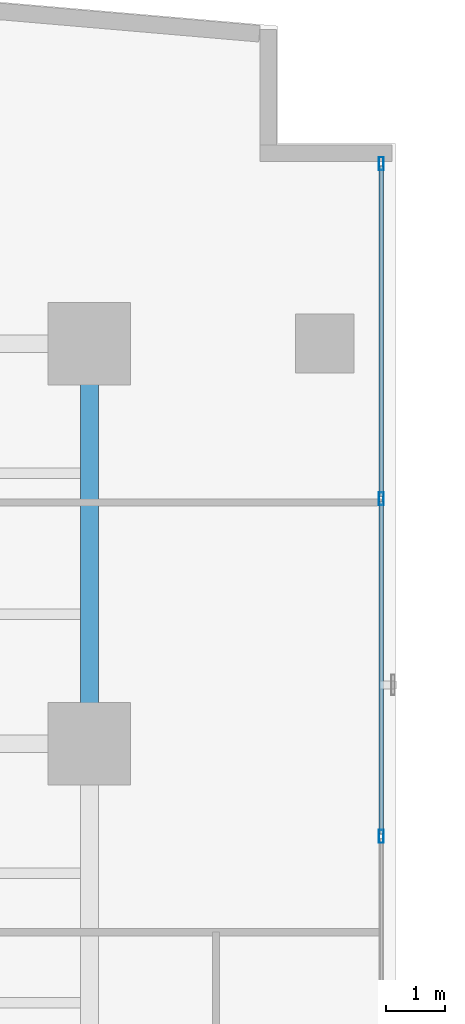
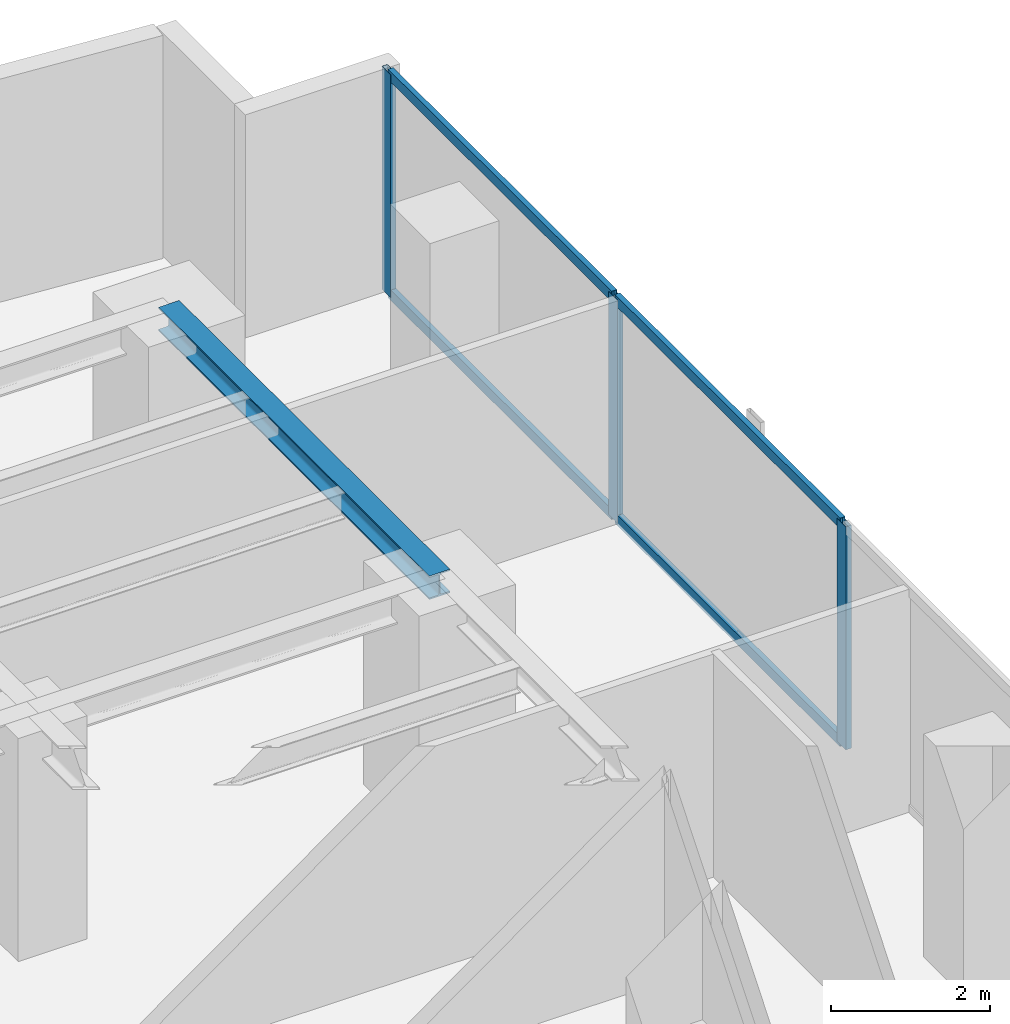
# One storey, part 17 of 25: 7 members, 1 beam, 1 element without a shape of its own.
"""IFC4 building model written with IfcOpenShell, lengths in metres."""

import ifcopenshell
import ifcopenshell.guid

model = None  # the IFC model being written
_history = None  # IfcOwnerHistory: only IFC2X3 demands one
_inside = {}  # id of a spatial element -> (the spatial element, [elements in it])
_under = {}  # id of a project, library or spatial element -> (it, [spatial elements below it])
_declared = {}  # id of a project -> (the project, [libraries it declares])
_typed = {}  # id of a type object -> (the type object, [elements of that type])
_made_of = {}  # id of a material, layer set ... -> (it, [elements and type objects made of it])


def new_model(schema):
    """Start an empty IFC model of exactly this schema.

    Asked for "IFC4X3", IfcOpenShell would pick the latest addendum, in which some entities
    have other attributes; the version numbers below select the first issue.
    IFC2X3 requires an IfcOwnerHistory on every rooted entity: one is made here for all.
    """
    global model, _history
    if schema == "IFC4X3":
        model = ifcopenshell.file(schema_version=(4, 3, 0, 0))
    else:
        model = ifcopenshell.file(schema=schema)
    _inside.clear()
    _under.clear()
    _declared.clear()
    _typed.clear()
    _made_of.clear()
    _history = None
    if model.schema == "IFC2X3":
        org = make("IfcOrganization", Name="unknown")
        user = make(
            "IfcPersonAndOrganization",
            ThePerson=make("IfcPerson", FamilyName="unknown"),
            TheOrganization=org,
        )
        app = make(
            "IfcApplication",
            ApplicationDeveloper=org,
            Version="unknown",
            ApplicationFullName="unknown",
            ApplicationIdentifier="unknown",
        )
        _history = make(
            "IfcOwnerHistory",
            OwningUser=user,
            OwningApplication=app,
            ChangeAction="ADDED",
            CreationDate=0,
        )
    return model


def make(cls, **values):
    """One entity of the class cls with the attributes given. An attribute that is None is left unset."""
    return model.create_entity(
        cls, **{name: value for name, value in values.items() if value is not None}
    )


def rooted(cls, **values):
    """An entity with a GlobalId (a new one), such as an element, a storey or a relation."""
    return make(cls, GlobalId=ifcopenshell.guid.new(), OwnerHistory=_history, **values)


def si_unit(unit_type, name, prefix=None):
    """IfcSIUnit, for example si_unit("LENGTHUNIT", "METRE", prefix="MILLI")."""
    return make("IfcSIUnit", UnitType=unit_type, Prefix=prefix, Name=name)


def assignment(units):
    """IfcUnitAssignment: the units of a project."""
    return None if units is None else make("IfcUnitAssignment", Units=units)


def point(xyz):
    """IfcCartesianPoint."""
    return None if xyz is None else make("IfcCartesianPoint", Coordinates=xyz)


def direction(xyz):
    """IfcDirection."""
    return None if xyz is None else make("IfcDirection", DirectionRatios=xyz)


def frame(location, z_axis=None, x_axis=None):
    """IfcAxis2Placement3D, a coordinate frame: its origin and axes. An axis left out is left unset."""
    return make(
        "IfcAxis2Placement3D",
        Location=point(location),
        Axis=direction(z_axis),
        RefDirection=direction(x_axis),
    )


def frame_2d(location, x_axis=None):
    """IfcAxis2Placement2D, a coordinate frame in the plane: its origin and x axis."""
    return make(
        "IfcAxis2Placement2D", Location=point(location), RefDirection=direction(x_axis)
    )


def origin():
    """The frame at (0, 0, 0) with its axes left unset."""
    return frame((0.0, 0.0, 0.0))


def origin_with_axes():
    """The frame at (0, 0, 0) with the z axis (0, 0, 1) and the x axis (1, 0, 0) written out."""
    return frame((0.0, 0.0, 0.0), z_axis=(0.0, 0.0, 1.0), x_axis=(1.0, 0.0, 0.0))


def origin_2d():
    """The frame at (0, 0) in the plane with its x axis left unset."""
    return frame_2d((0.0, 0.0))


def place(relative_to, where):
    """IfcLocalPlacement: puts the frame where relative to a parent placement (None: the world)."""
    return make(
        "IfcLocalPlacement", PlacementRelTo=relative_to, RelativePlacement=where
    )


def context(
    kind, dimensions, precision=None, world=None, true_north=None, identifier=None
):
    """IfcGeometricRepresentationContext, for example the 3D "Model" context."""
    return make(
        "IfcGeometricRepresentationContext",
        ContextIdentifier=identifier,
        ContextType=kind,
        CoordinateSpaceDimension=dimensions,
        Precision=precision,
        WorldCoordinateSystem=world,
        TrueNorth=true_north,
    )


def subcontext(parent, identifier, kind, view, scale=None):
    """IfcGeometricRepresentationSubContext, for example "Body" below "Model"."""
    return make(
        "IfcGeometricRepresentationSubContext",
        ContextIdentifier=identifier,
        ContextType=kind,
        ParentContext=parent,
        TargetScale=scale,
        TargetView=view,
    )


def project(units=None, contexts=None):
    """IfcProject with its units and contexts."""
    return rooted(
        "IfcProject",
        Name="project",
        RepresentationContexts=contexts,
        UnitsInContext=assignment(units),
    )


def spatial(cls, under=None, at=None, **own):
    """A site, building, storey or space (cls), placed at a placement, below another one or the project."""
    s = rooted(cls, ObjectPlacement=at, **own)
    if under is not None:
        _under.setdefault(under.id(), (under, []))[1].append(s)
    return s


def profile(cls, at=None, kind="AREA", **sizes):
    """A parametric profile (cls). Its sizes go by their IFC names, for example OverallWidth=200.0."""
    return make(cls, ProfileType=kind, Position=at, **sizes)


def hollow_rectangle(**sizes):
    """IfcRectangleHollowProfileDef."""
    return profile("IfcRectangleHollowProfileDef", **sizes)


def i_section(**sizes):
    """IfcIShapeProfileDef."""
    return profile("IfcIShapeProfileDef", **sizes)


def extrude(swept, where, along, depth):
    """IfcExtrudedAreaSolid: the profile swept, set in the frame where, extruded along a direction by depth."""
    return make(
        "IfcExtrudedAreaSolid",
        SweptArea=swept,
        Position=where,
        ExtrudedDirection=direction(along),
        Depth=depth,
    )


def shape(context_of_items, identifier, shape_type, items):
    """IfcShapeRepresentation: the items that make up one representation, for example the "Body"."""
    return make(
        "IfcShapeRepresentation",
        ContextOfItems=context_of_items,
        RepresentationIdentifier=identifier,
        RepresentationType=shape_type,
        Items=items,
    )


def source(mapping_origin, context_of_items, identifier, shape_type, items):
    """IfcRepresentationMap: a shape defined once, which mapped items show again and again."""
    return make(
        "IfcRepresentationMap",
        MappingOrigin=mapping_origin,
        MappedRepresentation=shape(context_of_items, identifier, shape_type, items),
    )


def transform(
    local_origin,
    x_axis=None,
    y_axis=None,
    z_axis=None,
    scale=None,
    scale2=None,
    scale3=None,
    uniform=True,
):
    """IfcCartesianTransformationOperator3D, or its non-uniform kind. x_axis, y_axis, z_axis: its Axis1, 2, 3."""
    if uniform:
        return make(
            "IfcCartesianTransformationOperator3D",
            Axis1=direction(x_axis),
            Axis2=direction(y_axis),
            LocalOrigin=point(local_origin),
            Scale=scale,
            Axis3=direction(z_axis),
        )
    return make(
        "IfcCartesianTransformationOperator3DnonUniform",
        Axis1=direction(x_axis),
        Axis2=direction(y_axis),
        LocalOrigin=point(local_origin),
        Scale=scale,
        Axis3=direction(z_axis),
        Scale2=scale2,
        Scale3=scale3,
    )


def mapped(mapping_source, mapping_target):
    """IfcMappedItem: shows the shape of a source again, moved by a transform."""
    return make(
        "IfcMappedItem", MappingSource=mapping_source, MappingTarget=mapping_target
    )


def material(Name=None, Category=None):
    """IfcMaterial."""
    return make("IfcMaterial", Name=Name, Category=Category)


def layer(
    of_material, thickness, ventilated=None, Name=None, Category=None, Priority=None
):
    """IfcMaterialLayer: one layer of a wall or slab, of a material (None: an air gap)."""
    return make(
        "IfcMaterialLayer",
        Material=of_material,
        LayerThickness=thickness,
        IsVentilated=ventilated,
        Name=Name,
        Category=Category,
        Priority=Priority,
    )


def layer_set(layers, Name=None):
    """IfcMaterialLayerSet."""
    return make("IfcMaterialLayerSet", MaterialLayers=layers, LayerSetName=Name)


def material_profile(
    of_material, cross_section, Name=None, Category=None, Priority=None
):
    """IfcMaterialProfile: a cross section and its material."""
    return make(
        "IfcMaterialProfile",
        Name=Name,
        Material=of_material,
        Profile=cross_section,
        Priority=Priority,
        Category=Category,
    )


def profile_set(profiles, Name=None, composite=None):
    """IfcMaterialProfileSet."""
    return make(
        "IfcMaterialProfileSet",
        Name=Name,
        MaterialProfiles=profiles,
        CompositeProfile=composite,
    )


def made_of(thing, what):
    """Note that an element or type object is made of a material, layer set ...; save() writes the relation."""
    if what is not None:
        _made_of.setdefault(what.id(), (what, []))[1].append(thing)
    return thing


def type_object(cls, material=None, **own):
    """A type object (cls), such as IfcWallType, which elements share."""
    return made_of(rooted(cls, **own), material)


def element(
    cls,
    number,
    at=None,
    inside=None,
    cuts=None,
    type_object=None,
    material=None,
    context=None,
    identifier="Body",
    shape_type=None,
    held_by="IfcProductDefinitionShape",
    body=None,
    shapes=None,
    **own,
):
    """One element of the class cls, such as IfcWall. Its Tag is "e" and its number.

    at: its placement. inside: the storey or other place that contains it. cuts: it is an
    opening in that element (IfcRelVoidsElement). A single representation is given by context,
    identifier, shape_type and body (its items); several are given by shapes. held_by: the class
    of the entity that holds the representations. save() writes the other relations.
    """
    e = rooted(cls, Tag="e%d" % number, ObjectPlacement=at, **own)
    if body is not None:
        shapes = [shape(context, identifier, shape_type, body)]
    if shapes is not None:
        e.Representation = make(held_by, Representations=shapes)
    if inside is not None:
        _inside.setdefault(inside.id(), (inside, []))[1].append(e)
    if cuts is not None:
        rooted(
            "IfcRelVoidsElement", RelatingBuildingElement=cuts, RelatedOpeningElement=e
        )
    if type_object is not None:
        _typed.setdefault(type_object.id(), (type_object, []))[1].append(e)
    return made_of(e, material)


def aggregate(whole, parts):
    """IfcRelAggregates: a whole, such as a stair, and the parts it consists of."""
    return rooted("IfcRelAggregates", RelatingObject=whole, RelatedObjects=parts)


def save(model, path):
    """Write the relations noted so far, then the file.

    IfcRelAggregates (storeys below a building ...), IfcRelContainedInSpatialStructure (elements
    in a storey), IfcRelDefinesByType, IfcRelAssociatesMaterial and IfcRelDeclares: one each for
    every whole, place, type object, material and project.
    """
    for whole, parts in _under.values():
        aggregate(whole, parts)
    for where, things in _inside.values():
        rooted(
            "IfcRelContainedInSpatialStructure",
            RelatedElements=things,
            RelatingStructure=where,
        )
    for kind, things in _typed.values():
        rooted("IfcRelDefinesByType", RelatedObjects=things, RelatingType=kind)
    for what, things in _made_of.values():
        rooted("IfcRelAssociatesMaterial", RelatedObjects=things, RelatingMaterial=what)
    for by, libraries in _declared.values():
        rooted("IfcRelDeclares", RelatingContext=by, RelatedDefinitions=libraries)
    model.write(path)


model = new_model("IFC4")

# Units and contexts
model_context = context("Model", 3, precision=1e-05, world=origin(), true_north=direction((0.0, 1.0)))
body_context = subcontext(model_context, "Body", "Model", "MODEL_VIEW")
ifc_project = project(units=[si_unit("LENGTHUNIT", "METRE"), si_unit("AREAUNIT", "SQUARE_METRE"), si_unit("VOLUMEUNIT", "CUBIC_METRE"), si_unit("PLANEANGLEUNIT", "RADIAN"), si_unit("MASSUNIT", "GRAM", prefix="KILO")], contexts=[model_context])

# Site, building, storey
site_placement = place(None, origin())
site = spatial("IfcSite", under=ifc_project, at=site_placement, CompositionType="ELEMENT")
building_placement = place(site_placement, origin())
building = spatial("IfcBuilding", under=site, at=building_placement, Name="Kolvaren Waterfront Exchange", CompositionType="ELEMENT")
storey_placement = place(building_placement, frame((0.0, 0.0, 137.300048828125)))
storey = spatial("IfcBuildingStorey", under=building, at=storey_placement, Name="L35", CompositionType="ELEMENT", Elevation=137.300048828125)

# Beam
ifc_material_1 = material(Name="Steel S355", Category="steel")
ifc_material_profile_1 = material_profile(ifc_material_1, i_section(OverallWidth=0.300048828125, OverallDepth=0.360107421875, WebThickness=0.012451171875, FlangeThickness=0.0224609375, FilletRadius=0.027099609375, at=origin_2d()), Name="HEB360")
ifc_profile_set_1 = profile_set([ifc_material_profile_1], Name="Steel S355")
beam_type = type_object("IfcBeamType", Name="STR-BM-HEB360", PredefinedType="SPANDREL", material=ifc_profile_set_1)
beam_placement = place(storey_placement, frame((18.800048828125, 37.800048828125, 3.239990234375), z_axis=(0.0, 1.0, 0.0), x_axis=(-1.0, 0.0, 0.0)))
element("IfcBeam", 1, at=beam_placement, inside=storey, type_object=beam_type, Name="L35 north-arm edge beam 3", PredefinedType="SPANDREL", context=body_context, shape_type="SweptSolid", body=[
    extrude(i_section(OverallWidth=0.300048828125, OverallDepth=0.360107421875, WebThickness=0.012451171875, FlangeThickness=0.0224609375, FilletRadius=0.027099609375, at=origin_2d()), origin(), (0.0, 0.0, 1.0), 6.800048828125),
])

# Curtain wall, members
ifc_material_2 = material(Name="Anodised bronze aluminium 6063-T6", Category="aluminium")
ifc_layer = layer(ifc_material_2, 0.219970703125, Name="Anodised bronze aluminium 6063-T6")
ifc_layer_set = layer_set([ifc_layer], Name="Anodised bronze aluminium 6063-T6")
curtain_wall_type = type_object("IfcCurtainWallType", Name="ARC-CW-SYS1", PredefinedType="USERDEFINED", material=ifc_layer_set)
curtain_wall_placement = place(storey_placement, origin())
curtain_wall = element("IfcCurtainWall", 2, at=curtain_wall_placement, inside=storey, type_object=curtain_wall_type, Name="L35 stick curtain wall CW1 (CW-L35-NE)", ObjectType="STICK CURTAIN WALL", PredefinedType="USERDEFINED")
ifc_material_3 = material(Name="Anodised aluminium 6063-T6", Category="aluminium")
ifc_material_profile_2 = material_profile(ifc_material_3, hollow_rectangle(XDim=0.080078125, YDim=0.219970703125, WallThickness=0.0048828125, at=origin_2d()), Name="ALU-MUL-220x80x5")
ifc_profile_set_2 = profile_set([ifc_material_profile_2], Name="Anodised aluminium 6063-T6")
member_type_1 = type_object("IfcMemberType", Name="ARC-CWM-220", PredefinedType="MULLION", material=ifc_profile_set_2)
shared_shape_1 = source(origin_with_axes(), body_context, "Body", "SweptSolid", [
    extrude(hollow_rectangle(XDim=0.080078125, YDim=0.219970703125, WallThickness=0.0048828125, at=origin_2d()), origin(), (0.0, 0.0, 1.0), 3.419921875),
])
member_1_placement = place(storey_placement, frame((23.760009765625, 36.2265625, 0.0), z_axis=(0.0, 0.0, 1.0), x_axis=(-1.0, 0.0, 0.0)))
member_1 = element("IfcMember", 3, at=member_1_placement, type_object=member_type_1, Name="CW1 mullion 2", PredefinedType="MULLION", context=body_context, shape_type="MappedRepresentation", body=[
    mapped(shared_shape_1, transform((0.0, 0.0, 0.0), x_axis=(1.0, 0.0, 0.0), y_axis=(0.0, 1.0, 0.0), z_axis=(0.0, 0.0, 1.0), scale=1.0)),
])
member_2_placement = place(storey_placement, frame((23.760009765625, 41.96337890625, 0.0), z_axis=(0.0, 0.0, 1.0), x_axis=(-1.0, 0.0, 0.0)))
member_2 = element("IfcMember", 4, at=member_2_placement, type_object=member_type_1, Name="CW1 mullion 3", PredefinedType="MULLION", context=body_context, shape_type="MappedRepresentation", body=[
    mapped(shared_shape_1, transform((0.0, 0.0, 0.0), x_axis=(1.0, 0.0, 0.0), y_axis=(0.0, 1.0, 0.0), z_axis=(0.0, 0.0, 1.0), scale=1.0)),
])
member_3_placement = place(storey_placement, frame((23.760009765625, 47.659912109375, 0.0), z_axis=(0.0, 0.0, 1.0), x_axis=(-1.0, 0.0, 0.0)))
member_3 = element("IfcMember", 5, at=member_3_placement, type_object=member_type_1, Name="CW1 mullion 4", PredefinedType="MULLION", context=body_context, shape_type="MappedRepresentation", body=[
    mapped(shared_shape_1, transform((0.0, 0.0, 0.0), x_axis=(1.0, 0.0, 0.0), y_axis=(0.0, 1.0, 0.0), z_axis=(0.0, 0.0, 1.0), scale=1.0)),
])
ifc_material_profile_3 = material_profile(ifc_material_3, hollow_rectangle(XDim=0.074951171875, YDim=0.159912109375, WallThickness=0.00439453125, at=origin_2d()), Name="ALU-TRN-160x75x4.5")
ifc_profile_set_3 = profile_set([ifc_material_profile_3], Name="Anodised aluminium 6063-T6")
member_type_2 = type_object("IfcMemberType", Name="ARC-CWT-160", PredefinedType="USERDEFINED", material=ifc_profile_set_3)
shared_shape_2 = source(origin_with_axes(), body_context, "Body", "SweptSolid", [
    extrude(hollow_rectangle(XDim=0.074951171875, YDim=0.159912109375, WallThickness=0.00439453125, at=origin_2d()), origin(), (0.0, 0.0, 1.0), 5.61669921875),
])
member_4_placement = place(storey_placement, frame((23.760009765625, 42.00341796875, 0.037353515625), z_axis=(0.0, 1.0, 0.0), x_axis=(-1.0, 0.0, 0.0)))
member_4 = element("IfcMember", 6, at=member_4_placement, type_object=member_type_2, Name="CW1 transom 3.1", ObjectType="TRANSOM", PredefinedType="USERDEFINED", context=body_context, shape_type="MappedRepresentation", body=[
    mapped(shared_shape_2, transform((0.0, 0.0, 0.0), x_axis=(1.0, 0.0, 0.0), y_axis=(0.0, 1.0, 0.0), z_axis=(0.0, 0.0, 1.0), scale=1.0)),
])
member_5_placement = place(storey_placement, frame((23.760009765625, 42.00341796875, 3.382568359375), z_axis=(0.0, 1.0, 0.0), x_axis=(-1.0, 0.0, 0.0)))
member_5 = element("IfcMember", 7, at=member_5_placement, type_object=member_type_2, Name="CW1 transom 3.2", ObjectType="TRANSOM", PredefinedType="USERDEFINED", context=body_context, shape_type="MappedRepresentation", body=[
    mapped(shared_shape_2, transform((0.0, 0.0, 0.0), x_axis=(1.0, 0.0, 0.0), y_axis=(0.0, 1.0, 0.0), z_axis=(0.0, 0.0, 1.0), scale=1.0)),
])
shared_shape_3 = source(origin_with_axes(), body_context, "Body", "SweptSolid", [
    extrude(hollow_rectangle(XDim=0.074951171875, YDim=0.159912109375, WallThickness=0.00439453125, at=origin_2d()), origin(), (0.0, 0.0, 1.0), 5.65673828125),
])
member_6_placement = place(storey_placement, frame((23.760009765625, 36.2666015625, 0.037353515625), z_axis=(0.0, 1.0, 0.0), x_axis=(-1.0, 0.0, 0.0)))
member_6 = element("IfcMember", 8, at=member_6_placement, type_object=member_type_2, Name="CW1 transom 2.1", ObjectType="TRANSOM", PredefinedType="USERDEFINED", context=body_context, shape_type="MappedRepresentation", body=[
    mapped(shared_shape_3, transform((0.0, 0.0, 0.0), x_axis=(1.0, 0.0, 0.0), y_axis=(0.0, 1.0, 0.0), z_axis=(0.0, 0.0, 1.0), scale=1.0)),
])
member_7_placement = place(storey_placement, frame((23.760009765625, 36.2666015625, 3.382568359375), z_axis=(0.0, 1.0, 0.0), x_axis=(-1.0, 0.0, 0.0)))
member_7 = element("IfcMember", 9, at=member_7_placement, type_object=member_type_2, Name="CW1 transom 2.2", ObjectType="TRANSOM", PredefinedType="USERDEFINED", context=body_context, shape_type="MappedRepresentation", body=[
    mapped(shared_shape_3, transform((0.0, 0.0, 0.0), x_axis=(1.0, 0.0, 0.0), y_axis=(0.0, 1.0, 0.0), z_axis=(0.0, 0.0, 1.0), scale=1.0)),
])
aggregate(curtain_wall, [member_1, member_2, member_3, member_6, member_7, member_4, member_5])

save(model, "model.ifc")
